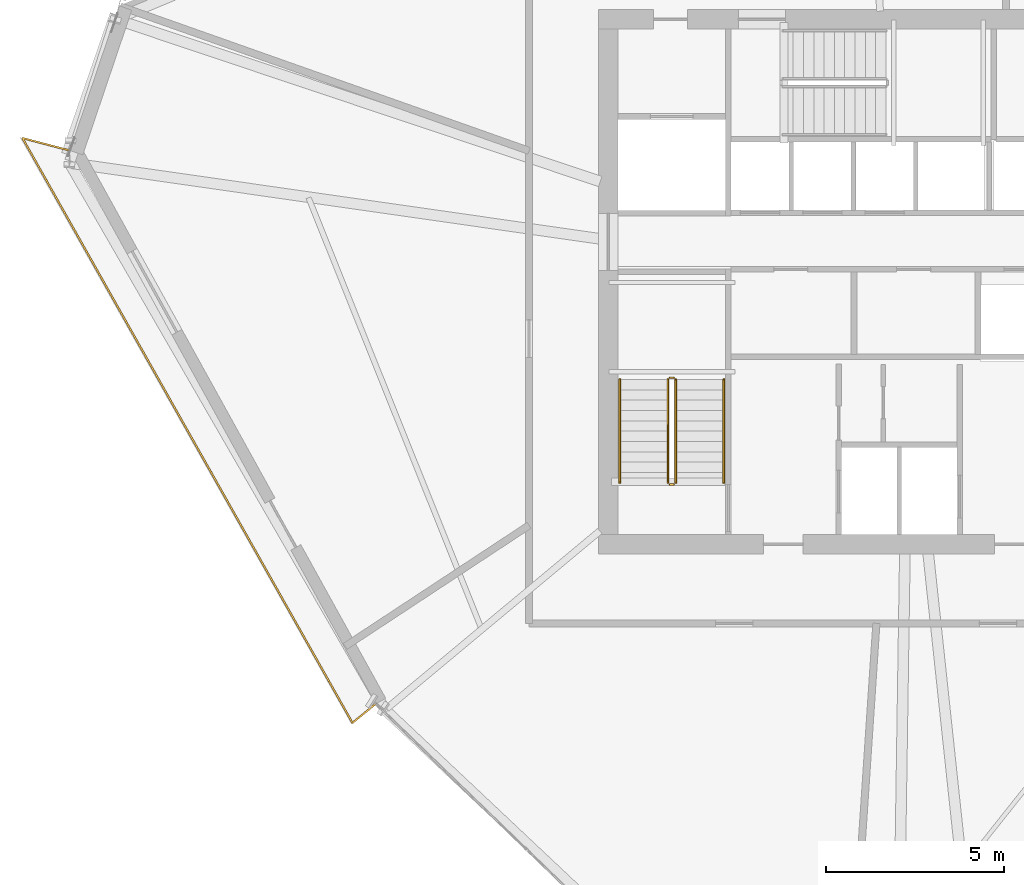
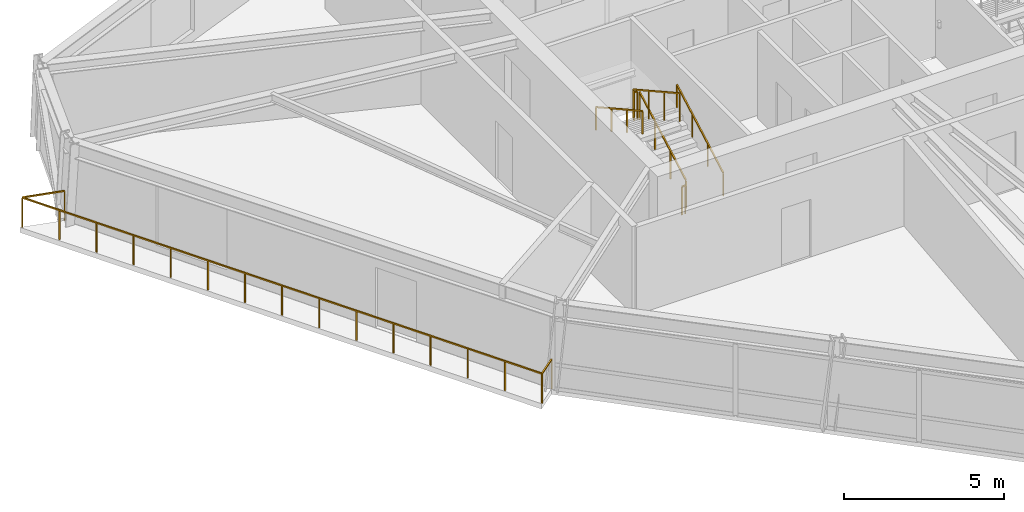
# One storey, part 11 of 13: 7 railings.
"""IFC4 building model written with IfcOpenShell, lengths in metres."""

from ifc_helpers import new_model, si_unit, direction, frame, origin, origin_2d, place, context, subcontext, project, spatial, rectangle, extrude, material, type_object, element, save


model = new_model("IFC4")

# Units and contexts
model_context = context("Model", 3, precision=1e-05, world=origin(), true_north=direction((0.0, 1.0)))
body_context = subcontext(model_context, "Body", "Model", "MODEL_VIEW")
ifc_project = project(units=[si_unit("LENGTHUNIT", "METRE"), si_unit("AREAUNIT", "SQUARE_METRE"), si_unit("VOLUMEUNIT", "CUBIC_METRE"), si_unit("PLANEANGLEUNIT", "RADIAN"), si_unit("MASSUNIT", "GRAM", prefix="KILO")], contexts=[model_context])

# Site, building, storey
site_placement = place(None, origin())
site = spatial("IfcSite", under=ifc_project, at=site_placement, CompositionType="ELEMENT")
building_placement = place(site_placement, origin())
building = spatial("IfcBuilding", under=site, at=building_placement, Name="Olszyna Solenne Hotel", CompositionType="ELEMENT")
storey_placement = place(building_placement, frame((0.0, 0.0, 192.75)))
storey = spatial("IfcBuildingStorey", under=building, at=storey_placement, Name="L51", CompositionType="ELEMENT", Elevation=192.75)

# Railings
ifc_material_1 = material(Name="Anodised bronze aluminium", Category="aluminium")
railing_type_1 = type_object("IfcRailingType", Name="GR-110", PredefinedType="BALUSTRADE", material=ifc_material_1)
railing_1_placement = place(storey_placement, frame((14.6982421875, 30.2841796875, 0.0)))
element("IfcRailing", 1, at=railing_1_placement, inside=storey, type_object=railing_type_1, Name="Loggia balcony balustrade guard GR-L51-LG2", PredefinedType="BALUSTRADE", context=body_context, shape_type="SweptSolid", body=[
    extrude(rectangle(XDim=0.048095703125, YDim=0.048095703125, at=origin_2d()), frame((0.0, 0.0, 1.1259765625), z_axis=(-0.967102048861, 0.254388732237, 0.0), x_axis=(-0.254388732237, -0.967102048861, 0.0)), (0.0, 0.0, 1.0), 1.379150390625),
    extrude(rectangle(XDim=0.048095703125, YDim=0.048095703125, at=origin_2d()), frame((-1.333740234375, 0.350830078125, 1.1259765625), z_axis=(0.491400471273, -0.870933738486, 0.0), x_axis=(0.870933738486, 0.491400471273, 0.0)), (0.0, 0.0, 1.0), 18.866943359375),
    extrude(rectangle(XDim=0.048095703125, YDim=0.048095703125, at=origin_2d()), frame((7.9375, -16.0810546875, 1.1259765625), z_axis=(0.775690128638, 0.631113955109, 0.0), x_axis=(-0.631113955109, 0.775690128638, 0.0)), (0.0, 0.0, 1.0), 0.845947265625),
    extrude(rectangle(XDim=0.0419921875, YDim=0.0419921875, at=origin_2d()), origin(), (0.0, 0.0, 1.0), 1.101806640625),
    extrude(rectangle(XDim=0.0419921875, YDim=0.0419921875, at=origin_2d()), frame((-1.333740234375, 0.350830078125, 0.0)), (0.0, 0.0, 1.0), 1.101806640625),
    extrude(rectangle(XDim=0.0419921875, YDim=0.0419921875, at=origin_2d()), frame((-0.67138671875, -0.82275390625, 0.0)), (0.0, 0.0, 1.0), 1.101806640625),
    extrude(rectangle(XDim=0.0419921875, YDim=0.0419921875, at=origin_2d()), frame((-0.00927734375, -1.99658203125, 0.0)), (0.0, 0.0, 1.0), 1.101806640625),
    extrude(rectangle(XDim=0.0419921875, YDim=0.0419921875, at=origin_2d()), frame((0.65283203125, -3.17041015625, 0.0)), (0.0, 0.0, 1.0), 1.101806640625),
    extrude(rectangle(XDim=0.0419921875, YDim=0.0419921875, at=origin_2d()), frame((1.315185546875, -4.343994140625, 0.0)), (0.0, 0.0, 1.0), 1.101806640625),
    extrude(rectangle(XDim=0.0419921875, YDim=0.0419921875, at=origin_2d()), frame((1.9775390625, -5.517578125, 0.0)), (0.0, 0.0, 1.0), 1.101806640625),
    extrude(rectangle(XDim=0.0419921875, YDim=0.0419921875, at=origin_2d()), frame((2.6396484375, -6.69140625, 0.0)), (0.0, 0.0, 1.0), 1.101806640625),
    extrude(rectangle(XDim=0.0419921875, YDim=0.0419921875, at=origin_2d()), frame((3.3017578125, -7.865234375, 0.0)), (0.0, 0.0, 1.0), 1.101806640625),
    extrude(rectangle(XDim=0.0419921875, YDim=0.0419921875, at=origin_2d()), frame((3.964111328125, -9.038818359375, 0.0)), (0.0, 0.0, 1.0), 1.101806640625),
    extrude(rectangle(XDim=0.0419921875, YDim=0.0419921875, at=origin_2d()), frame((4.62646484375, -10.21240234375, 0.0)), (0.0, 0.0, 1.0), 1.101806640625),
    extrude(rectangle(XDim=0.0419921875, YDim=0.0419921875, at=origin_2d()), frame((5.28857421875, -11.38623046875, 0.0)), (0.0, 0.0, 1.0), 1.101806640625),
    extrude(rectangle(XDim=0.0419921875, YDim=0.0419921875, at=origin_2d()), frame((5.95068359375, -12.56005859375, 0.0)), (0.0, 0.0, 1.0), 1.101806640625),
    extrude(rectangle(XDim=0.0419921875, YDim=0.0419921875, at=origin_2d()), frame((6.613037109375, -13.733642578125, 0.0)), (0.0, 0.0, 1.0), 1.101806640625),
    extrude(rectangle(XDim=0.0419921875, YDim=0.0419921875, at=origin_2d()), frame((7.275390625, -14.9072265625, 0.0)), (0.0, 0.0, 1.0), 1.101806640625),
    extrude(rectangle(XDim=0.0419921875, YDim=0.0419921875, at=origin_2d()), frame((7.9375, -16.0810546875, 0.0)), (0.0, 0.0, 1.0), 1.101806640625),
    extrude(rectangle(XDim=0.0419921875, YDim=0.0419921875, at=origin_2d()), frame((8.59375, -15.547119140625, 0.0)), (0.0, 0.0, 1.0), 1.101806640625),
])
railing_2_placement = place(storey_placement, frame((31.719970703125, 20.949951171875, 0.161376953125)))
element("IfcRailing", 2, at=railing_2_placement, inside=storey, type_object=railing_type_1, Name="L51 ST1 stair guard 1", PredefinedType="BALUSTRADE", context=body_context, shape_type="SweptSolid", body=[
    extrude(rectangle(XDim=0.048095703125, YDim=0.048095703125, at=origin_2d()), frame((0.0, 0.0, 1.076171875), z_axis=(0.0, 0.873858693841, 0.486179990537), x_axis=(-1.0, 0.0, 0.0)), (0.0, 0.0, 1.0), 3.31884765625),
    extrude(rectangle(XDim=0.0419921875, YDim=0.0419921875, at=origin_2d()), origin(), (0.0, 0.0, 1.0), 1.052001953125),
    extrude(rectangle(XDim=0.0419921875, YDim=0.0419921875, at=origin_2d()), frame((0.0, 0.966796875, 0.537841796875)), (0.0, 0.0, 1.0), 1.052001953125),
    extrude(rectangle(XDim=0.0419921875, YDim=0.0419921875, at=origin_2d()), frame((0.0, 1.933349609375, 1.07568359375)), (0.0, 0.0, 1.0), 1.052001953125),
    extrude(rectangle(XDim=0.0419921875, YDim=0.0419921875, at=origin_2d()), frame((0.0, 2.900146484375, 1.613525390625)), (0.0, 0.0, 1.0), 1.052001953125),
])
railing_3_placement = place(storey_placement, frame((31.669921875, 23.89990234375, 1.77490234375)))
element("IfcRailing", 3, at=railing_3_placement, inside=storey, type_object=railing_type_1, Name="L51 ST1 stair guard 2", PredefinedType="BALUSTRADE", context=body_context, shape_type="SweptSolid", body=[
    extrude(rectangle(XDim=0.048095703125, YDim=0.048095703125, at=origin_2d()), frame((0.0, 0.0, 1.076171875), z_axis=(-1.0, 0.0, 0.0), x_axis=(0.0, -1.0, 0.0)), (0.0, 0.0, 1.0), 0.119873046875),
    extrude(rectangle(XDim=0.0419921875, YDim=0.0419921875, at=origin_2d()), origin(), (0.0, 0.0, 1.0), 1.052001953125),
    extrude(rectangle(XDim=0.0419921875, YDim=0.0419921875, at=origin_2d()), frame((-0.119873046875, 0.0, 0.0)), (0.0, 0.0, 1.0), 1.052001953125),
])
railing_4_placement = place(storey_placement, frame((31.5, 23.85009765625, 1.936279296875)))
element("IfcRailing", 4, at=railing_4_placement, inside=storey, type_object=railing_type_1, Name="L51 ST1 stair guard 3", PredefinedType="BALUSTRADE", context=body_context, shape_type="SweptSolid", body=[
    extrude(rectangle(XDim=0.048095703125, YDim=0.048095703125, at=origin_2d()), frame((0.0, 0.0, 1.076171875), z_axis=(0.0, -0.873827439584, 0.48623616261), x_axis=(1.0, 0.0, 0.0)), (0.0, 0.0, 1.0), 3.31884765625),
    extrude(rectangle(XDim=0.0419921875, YDim=0.0419921875, at=origin_2d()), origin(), (0.0, 0.0, 1.0), 1.052001953125),
    extrude(rectangle(XDim=0.0419921875, YDim=0.0419921875, at=origin_2d()), frame((0.0, -0.966796875, 0.537841796875)), (0.0, 0.0, 1.0), 1.052001953125),
    extrude(rectangle(XDim=0.0419921875, YDim=0.0419921875, at=origin_2d()), frame((0.0, -1.933349609375, 1.075927734375)), (0.0, 0.0, 1.0), 1.052001953125),
    extrude(rectangle(XDim=0.0419921875, YDim=0.0419921875, at=origin_2d()), frame((0.0, -2.900146484375, 1.61376953125)), (0.0, 0.0, 1.0), 1.052001953125),
])
railing_5_placement = place(storey_placement, frame((31.669921875, 20.89990234375, 0.0)))
element("IfcRailing", 5, at=railing_5_placement, inside=storey, type_object=railing_type_1, Name="L51 ST1 stair guard 4", PredefinedType="BALUSTRADE", context=body_context, shape_type="SweptSolid", body=[
    extrude(rectangle(XDim=0.048095703125, YDim=0.048095703125, at=origin_2d()), frame((0.0, 0.0, 1.076171875), z_axis=(-1.0, 0.0, 0.0), x_axis=(0.0, -1.0, 0.0)), (0.0, 0.0, 1.0), 0.119873046875),
    extrude(rectangle(XDim=0.0419921875, YDim=0.0419921875, at=origin_2d()), origin(), (0.0, 0.0, 1.0), 1.052001953125),
    extrude(rectangle(XDim=0.0419921875, YDim=0.0419921875, at=origin_2d()), frame((-0.119873046875, 0.0, 0.0)), (0.0, 0.0, 1.0), 1.052001953125),
])
ifc_material_2 = material(Name="Steel S355J2", Category="steel")
railing_type_2 = type_object("IfcRailingType", Name="HR-090", PredefinedType="HANDRAIL", material=ifc_material_2)
railing_6_placement = place(storey_placement, frame((33.070068359375, 20.949951171875, 0.161376953125)))
element("IfcRailing", 6, at=railing_6_placement, inside=storey, type_object=railing_type_2, Name="L51 ST1 stair handrail 1", PredefinedType="HANDRAIL", context=body_context, shape_type="SweptSolid", body=[
    extrude(rectangle(XDim=0.048095703125, YDim=0.048095703125, at=origin_2d()), frame((0.0, 0.0, 0.8759765625), z_axis=(0.0, 0.873858693841, 0.486179990537), x_axis=(-1.0, 0.0, 0.0)), (0.0, 0.0, 1.0), 3.31884765625),
    extrude(rectangle(XDim=0.0419921875, YDim=0.0419921875, at=origin_2d()), origin(), (0.0, 0.0, 1.0), 0.851806640625),
    extrude(rectangle(XDim=0.0419921875, YDim=0.0419921875, at=origin_2d()), frame((0.0, 0.966796875, 0.537841796875)), (0.0, 0.0, 1.0), 0.851806640625),
    extrude(rectangle(XDim=0.0419921875, YDim=0.0419921875, at=origin_2d()), frame((0.0, 1.933349609375, 1.07568359375)), (0.0, 0.0, 1.0), 0.851806640625),
    extrude(rectangle(XDim=0.0419921875, YDim=0.0419921875, at=origin_2d()), frame((0.0, 2.900146484375, 1.613525390625)), (0.0, 0.0, 1.0), 0.851806640625),
])
railing_7_placement = place(storey_placement, frame((30.14990234375, 23.85009765625, 1.936279296875)))
element("IfcRailing", 7, at=railing_7_placement, inside=storey, type_object=railing_type_2, Name="L51 ST1 stair handrail 2", PredefinedType="HANDRAIL", context=body_context, shape_type="SweptSolid", body=[
    extrude(rectangle(XDim=0.048095703125, YDim=0.048095703125, at=origin_2d()), frame((0.0, 0.0, 0.8759765625), z_axis=(0.0, -0.873827439584, 0.48623616261), x_axis=(1.0, 0.0, 0.0)), (0.0, 0.0, 1.0), 3.31884765625),
    extrude(rectangle(XDim=0.0419921875, YDim=0.0419921875, at=origin_2d()), origin(), (0.0, 0.0, 1.0), 0.851806640625),
    extrude(rectangle(XDim=0.0419921875, YDim=0.0419921875, at=origin_2d()), frame((0.0, -0.966796875, 0.537841796875)), (0.0, 0.0, 1.0), 0.851806640625),
    extrude(rectangle(XDim=0.0419921875, YDim=0.0419921875, at=origin_2d()), frame((0.0, -1.933349609375, 1.075927734375)), (0.0, 0.0, 1.0), 0.851806640625),
    extrude(rectangle(XDim=0.0419921875, YDim=0.0419921875, at=origin_2d()), frame((0.0, -2.900146484375, 1.61376953125)), (0.0, 0.0, 1.0), 0.851806640625),
])

save(model, "model.ifc")
